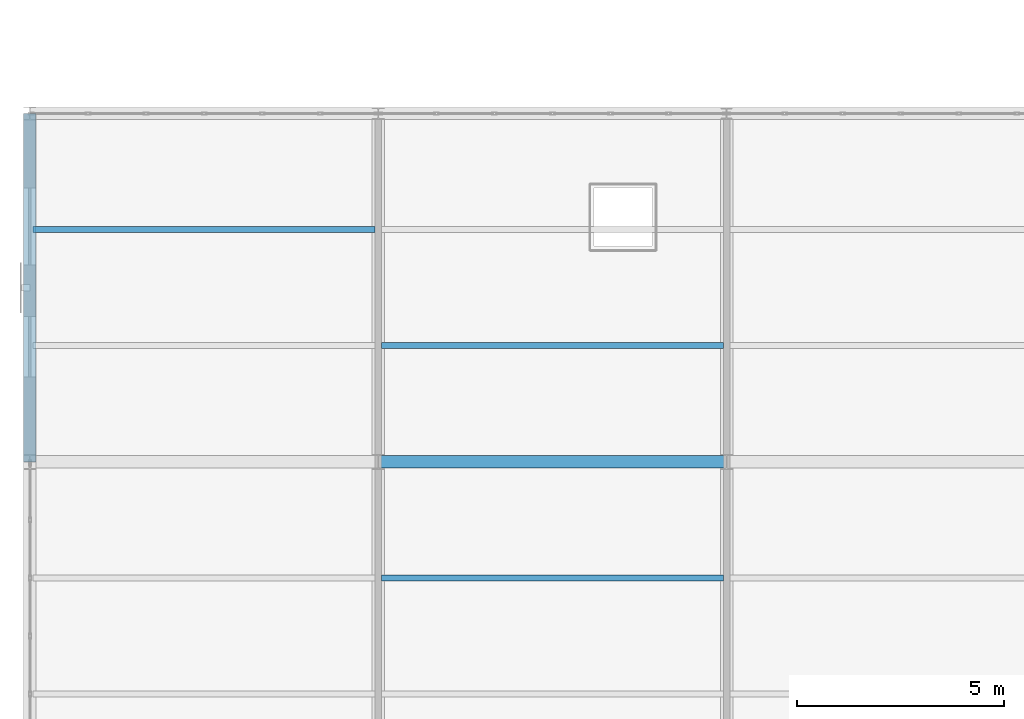
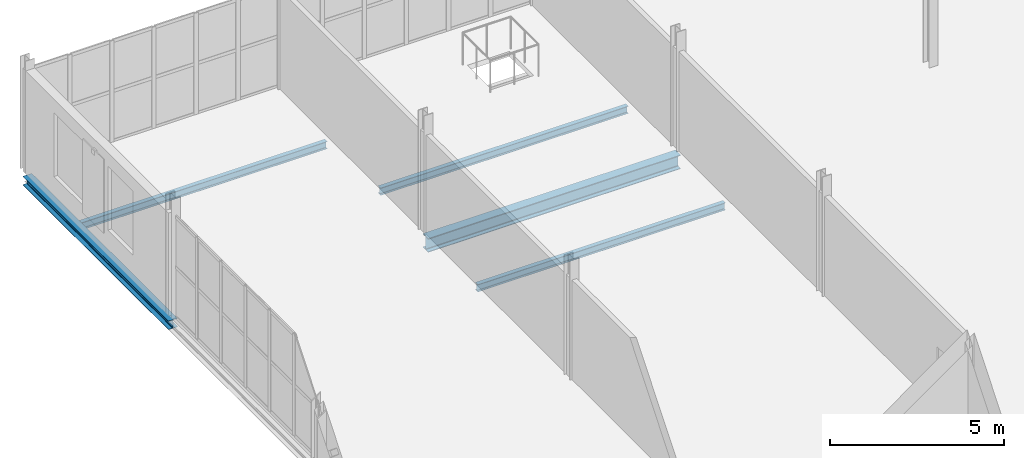
# One storey, part 80 of 163: 5 beams.
"""IFC4 building model written with IfcOpenShell, lengths in metres."""

from ifc_helpers import new_model, si_unit, direction, frame, origin, origin_2d, place, context, subcontext, project, spatial, i_section, extrude, material, material_profile, profile_set, type_object, element, save


model = new_model("IFC4")

# Units and contexts
model_context = context("Model", 3, precision=1e-05, world=origin(), true_north=direction((0.0, 1.0)))
body_context = subcontext(model_context, "Body", "Model", "MODEL_VIEW")
ifc_project = project(units=[si_unit("LENGTHUNIT", "METRE"), si_unit("AREAUNIT", "SQUARE_METRE"), si_unit("VOLUMEUNIT", "CUBIC_METRE"), si_unit("PLANEANGLEUNIT", "RADIAN"), si_unit("MASSUNIT", "GRAM", prefix="KILO")], contexts=[model_context])

# Site, building, storey
site_placement = place(None, origin())
site = spatial("IfcSite", under=ifc_project, at=site_placement, CompositionType="ELEMENT")
building_placement = place(site_placement, origin())
building = spatial("IfcBuilding", under=site, at=building_placement, Name="Qalvenar Corner Mobility Hub", CompositionType="ELEMENT")
storey_placement = place(building_placement, frame((0.0, 0.0, 4.800048828125)))
storey = spatial("IfcBuildingStorey", under=building, at=storey_placement, Name="L01", CompositionType="ELEMENT", Elevation=4.800048828125)

# Beams
ifc_material = material(Name="Steel S355", Category="steel")
ifc_material_profile_1 = material_profile(ifc_material, i_section(OverallWidth=0.300048828125, OverallDepth=0.489990234375, WebThickness=0.011962890625, FlangeThickness=0.02294921875, FilletRadius=0.027099609375, at=origin_2d()), Name="HEA500")
ifc_profile_set_1 = profile_set([ifc_material_profile_1], Name="Steel S355")
beam_type_1 = type_object("IfcBeamType", Name="BM-HEA500", PredefinedType="BEAM", material=ifc_profile_set_1)
beam_1_placement = place(storey_placement, frame((8.39990234375, 84.0, -0.425048828125), z_axis=(1.0, 0.0, 0.0), x_axis=(0.0, 1.0, 0.0)))
element("IfcBeam", 1, at=beam_1_placement, inside=storey, type_object=beam_type_1, Name="Primary Steel Girder GX-1173", PredefinedType="BEAM", context=body_context, shape_type="SweptSolid", body=[
    extrude(i_section(OverallWidth=0.300048828125, OverallDepth=0.489990234375, WebThickness=0.011962890625, FlangeThickness=0.02294921875, FilletRadius=0.027099609375, at=origin_2d()), origin(), (0.0, 0.0, 1.0), 8.400146484375),
])
ifc_material_profile_2 = material_profile(ifc_material, i_section(OverallWidth=0.14599609375, OverallDepth=0.258056640625, WebThickness=0.006103515625, FlangeThickness=0.009033203125, FilletRadius=0.011962890625, at=origin_2d()), Name="W250x32.7")
ifc_profile_set_2 = profile_set([ifc_material_profile_2], Name="Steel S355")
beam_type_2 = type_object("IfcBeamType", Name="BM-JST250", PredefinedType="JOIST", material=ifc_profile_set_2)
beam_2_placement = place(storey_placement, frame((0.077880859375, 89.60009765625, -0.30908203125), z_axis=(1.0, 0.0, 0.0), x_axis=(0.0, 1.0, 0.0)))
element("IfcBeam", 2, at=beam_2_placement, inside=storey, type_object=beam_type_2, Name="Composite Floor Joist J-1221", PredefinedType="JOIST", context=body_context, shape_type="SweptSolid", body=[
    extrude(i_section(OverallWidth=0.14599609375, OverallDepth=0.258056640625, WebThickness=0.006103515625, FlangeThickness=0.009033203125, FilletRadius=0.011962890625, at=origin_2d()), origin(), (0.0, 0.0, 1.0), 8.244140625),
])
for number, where, z_axis, x_axis, name in (
    (3, (8.47802734375, 81.199951171875, -0.30908203125), (1.0, 0.0, 0.0), (0.0, 1.0, 0.0), "Composite Floor Joist J-1229"),
    (4, (8.47802734375, 86.800048828125, -0.30908203125), (1.0, 0.0, 0.0), (0.0, 1.0, 0.0), "Composite Floor Joist J-1230"),
):
    element("IfcBeam", number, at=place(storey_placement, frame(where, z_axis=z_axis, x_axis=x_axis)), inside=storey, type_object=beam_type_2, Name=name, PredefinedType="JOIST", context=body_context, shape_type="SweptSolid", body=[
        extrude(i_section(OverallWidth=0.14599609375, OverallDepth=0.258056640625, WebThickness=0.006103515625, FlangeThickness=0.009033203125, FilletRadius=0.011962890625, at=origin_2d()), origin(), (0.0, 0.0, 1.0), 8.243896484375),
    ])
ifc_material_profile_3 = material_profile(ifc_material, i_section(OverallWidth=0.300048828125, OverallDepth=0.31005859375, WebThickness=0.009033203125, FlangeThickness=0.015380859375, FilletRadius=0.027099609375, at=origin_2d()), Name="HEA320")
ifc_profile_set_3 = profile_set([ifc_material_profile_3], Name="Steel S355")
beam_type_3 = type_object("IfcBeamType", Name="BM-SPN320", PredefinedType="SPANDREL", material=ifc_profile_set_3)
beam_3_placement = place(storey_placement, frame((0.0, 84.0, -0.3349609375), z_axis=(0.0, 1.0, 0.0), x_axis=(-1.0, 0.0, 0.0)))
element("IfcBeam", 5, at=beam_3_placement, inside=storey, type_object=beam_type_3, Name="Primary Steel Girder GY-1185", PredefinedType="SPANDREL", context=body_context, shape_type="SweptSolid", body=[
    extrude(i_section(OverallWidth=0.300048828125, OverallDepth=0.31005859375, WebThickness=0.009033203125, FlangeThickness=0.015380859375, FilletRadius=0.027099609375, at=origin_2d()), origin(), (0.0, 0.0, 1.0), 8.39990234375),
])

save(model, "model.ifc")
